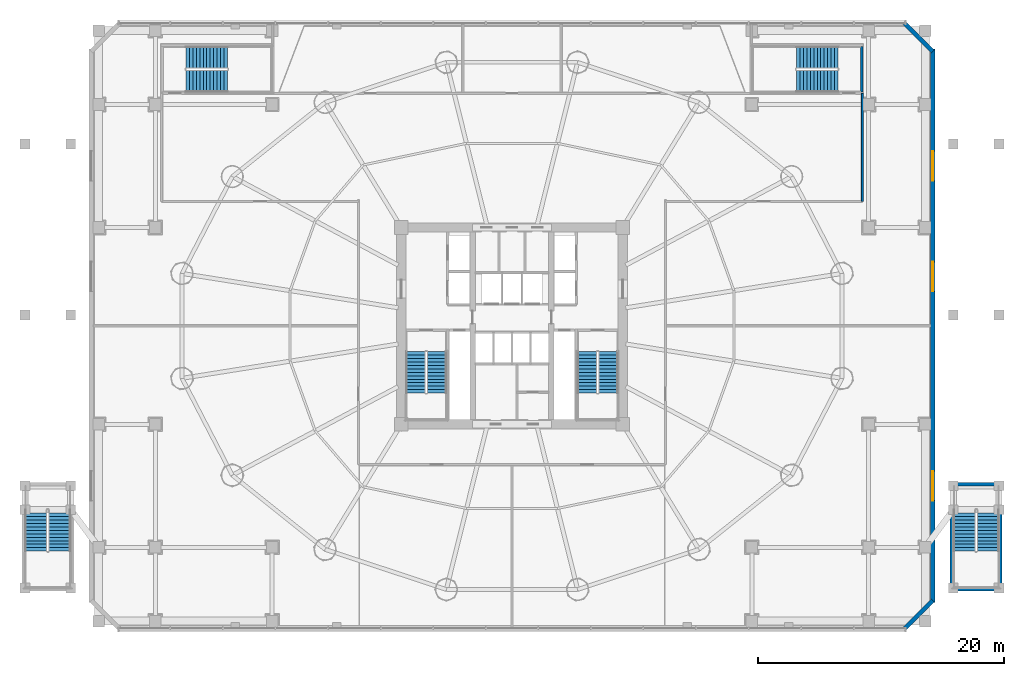
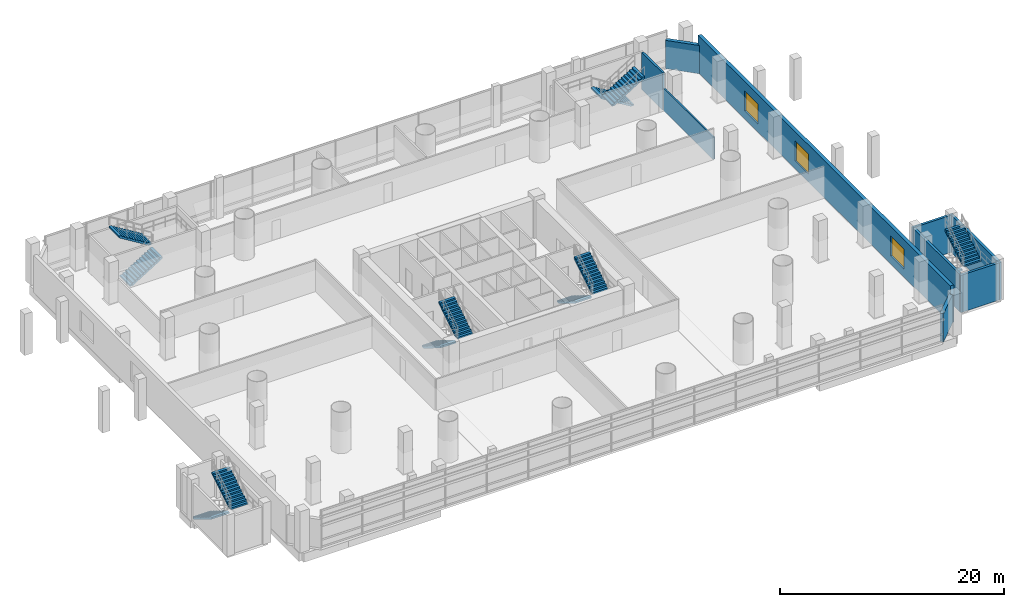
# One storey, part 24 of 36: 12 stair flights, 9 walls, 3 windows, 3 openings, 6 elements without a shape of their own.
"""IFC4 building model written with IfcOpenShell, lengths in metres."""

from ifc_helpers import new_model, si_unit, direction, frame, frame_2d, origin, place, context, subcontext, project, spatial, polyline, rectangle, outline, extrude, source, transform, mapped, material, layer, layer_set, type_object, element, fill, aggregate, save


model = new_model("IFC4")

# Units and contexts
model_context = context("Model", 3, precision=1e-05, world=origin(), true_north=direction((-0.2419218956, 0.970295726276)))
body_context = subcontext(model_context, "Body", "Model", "MODEL_VIEW")
ifc_project = project(units=[si_unit("LENGTHUNIT", "METRE"), si_unit("AREAUNIT", "SQUARE_METRE"), si_unit("VOLUMEUNIT", "CUBIC_METRE"), si_unit("PLANEANGLEUNIT", "RADIAN"), si_unit("MASSUNIT", "GRAM", prefix="KILO")], contexts=[model_context])

# Site, building, storey
site_placement = place(None, origin())
site = spatial("IfcSite", under=ifc_project, at=site_placement, CompositionType="ELEMENT")
building_placement = place(site_placement, origin())
building = spatial("IfcBuilding", under=site, at=building_placement, Name="Cobrevalo Terracotta Tower", CompositionType="ELEMENT")
storey_placement = place(building_placement, frame((0.0, 0.0, 14.39990234375)))
storey = spatial("IfcBuildingStorey", under=building, at=storey_placement, Name="L03", CompositionType="ELEMENT", Elevation=14.39990234375)

# Wall, openings, windows
ifc_material_1 = material(Name="Concrete C45", Category="concrete")
ifc_layer_1 = layer(ifc_material_1, 0.35009765625)
ifc_layer_set_1 = layer_set([ifc_layer_1], Name="Concrete C45")
wall_type_1 = type_object("IfcWallType", Name="Board-marked precast architectural concrete facade wall 350 mm", PredefinedType="SOLIDWALL", material=ifc_layer_set_1)
wall_1_placement = place(storey_placement, frame((72.199951171875, 4.300048828125, 0.0), z_axis=(0.0, 0.0, 1.0), x_axis=(0.0, 1.0, 0.0)))
wall_1 = element("IfcWall", 1, at=wall_1_placement, inside=storey, type_object=wall_type_1, Name="L03 east podium facade wall", PredefinedType="SOLIDWALL", context=body_context, shape_type="SweptSolid", body=[
    extrude(rectangle(XDim=45.0, YDim=0.35009765625, at=frame_2d((22.5, 0.0))), origin(), (0.0, 0.0, 1.0), 4.050048828125),
])
opening_1_placement = place(wall_1_placement, frame((8.300048828125, 0.0, 0.85009765625)))
opening_1 = element("IfcOpeningElement", 2, at=opening_1_placement, cuts=wall_1, Name="Opening WN-09", PredefinedType="OPENING", context=body_context, shape_type="SweptSolid", body=[
    extrude(rectangle(XDim=2.39990234375, YDim=2.199951171875, at=frame_2d((1.199951171875, 1.10009765625))), frame((0.0, 0.18505859375, 0.0), z_axis=(0.0, -1.0, 0.0), x_axis=(1.0, 0.0, 0.0)), (0.0, 0.0, 1.0), 0.3701171875),
])
opening_2_placement = place(wall_1_placement, frame((25.300048828125, 0.0, 0.85009765625)))
opening_2 = element("IfcOpeningElement", 3, at=opening_2_placement, cuts=wall_1, Name="Opening WN-09", PredefinedType="OPENING", context=body_context, shape_type="SweptSolid", body=[
    extrude(rectangle(XDim=2.39990234375, YDim=2.199951171875, at=frame_2d((1.199951171875, 1.10009765625))), frame((0.0, 0.18505859375, 0.0), z_axis=(0.0, -1.0, 0.0), x_axis=(1.0, 0.0, 0.0)), (0.0, 0.0, 1.0), 0.3701171875),
])
opening_3_placement = place(wall_1_placement, frame((34.300048828125, 0.0, 0.85009765625)))
opening_3 = element("IfcOpeningElement", 4, at=opening_3_placement, cuts=wall_1, Name="Opening WN-09", PredefinedType="OPENING", context=body_context, shape_type="SweptSolid", body=[
    extrude(rectangle(XDim=2.39990234375, YDim=2.199951171875, at=frame_2d((1.199951171875, 1.10009765625))), frame((0.0, 0.18505859375, 0.0), z_axis=(0.0, -1.0, 0.0), x_axis=(1.0, 0.0, 0.0)), (0.0, 0.0, 1.0), 0.3701171875),
])
ifc_material_2 = material(Name="Solar-control low-E double glazing", Category="glass")
window_type = type_object("IfcWindowType", Name="Podium upper gallery bronze-anodized window 2400x2200", PartitioningType="SINGLE_PANEL", PredefinedType="WINDOW", material=ifc_material_2)
shared_shape = source(origin(), body_context, "Body", "SweptSolid", [
    extrude(rectangle(XDim=2.39990234375, YDim=2.199951171875, at=frame_2d((1.199951171875, 1.10009765625))), frame((0.0, 0.030029296875, 0.0), z_axis=(0.0, -1.0, 0.0), x_axis=(1.0, 0.0, 0.0)), (0.0, 0.0, 1.0), 0.06005859375),
])
window_1_placement = place(opening_1_placement, origin())
window_1 = element("IfcWindow", 5, at=window_1_placement, inside=storey, type_object=window_type, Name="L03 east gallery window 1", OverallHeight=2.199951171875, OverallWidth=2.39990234375, PartitioningType="SINGLE_PANEL", PredefinedType="WINDOW", context=body_context, shape_type="MappedRepresentation", body=[
    mapped(shared_shape, transform((0.0, 0.0, 0.0), scale=1.0)),
])
fill(opening_1, window_1)
window_2_placement = place(opening_2_placement, origin())
window_2 = element("IfcWindow", 6, at=window_2_placement, inside=storey, type_object=window_type, Name="L03 east gallery window 2", OverallHeight=2.199951171875, OverallWidth=2.39990234375, PartitioningType="SINGLE_PANEL", PredefinedType="WINDOW", context=body_context, shape_type="MappedRepresentation", body=[
    mapped(shared_shape, transform((0.0, 0.0, 0.0), scale=1.0)),
])
fill(opening_2, window_2)
window_3_placement = place(opening_3_placement, origin())
window_3 = element("IfcWindow", 7, at=window_3_placement, inside=storey, type_object=window_type, Name="L03 east gallery window 3", OverallHeight=2.199951171875, OverallWidth=2.39990234375, PartitioningType="SINGLE_PANEL", PredefinedType="WINDOW", context=body_context, shape_type="MappedRepresentation", body=[
    mapped(shared_shape, transform((0.0, 0.0, 0.0), scale=1.0)),
])
fill(opening_3, window_3)

# Walls
for number, where, z_axis, x_axis, name in (
    (8, (69.919921875, 2.199951171875, 0.0), (0.0, 0.0, 1.0), (0.707106781187, 0.707106781187, 0.0), "L03 chamfered corner pier SE"),
    (9, (72.199951171875, 49.1201171875, 0.0), (0.0, 0.0, 1.0), (-0.707144639935, 0.707068920411, 0.0), "L03 chamfered corner pier NE"),
):
    element("IfcWall", number, at=place(storey_placement, frame(where, z_axis=z_axis, x_axis=x_axis)), inside=storey, type_object=wall_type_1, Name=name, PredefinedType="SOLIDWALL", context=body_context, shape_type="SweptSolid", body=[
        extrude(rectangle(XDim=3.224365234375, YDim=0.35009765625, at=frame_2d((1.6123046875, 0.0))), origin(), (0.0, 0.0, 1.0), 3.085205078125),
    ])
ifc_material_3 = material(Name="Concrete C50", Category="concrete")
ifc_layer_2 = layer(ifc_material_3, 0.25)
ifc_layer_set_2 = layer_set([ifc_layer_2], Name="Concrete C50")
wall_type_2 = type_object("IfcWallType", Name="Exterior raised-garden stair shaft RC wall 250 mm Concrete C50", PredefinedType="SOLIDWALL", material=ifc_layer_set_2)
for number, where, z_axis, x_axis, name in (
    (10, (73.7548828125, 5.25, 0.0), (0.0, 0.0, 1.0), (0.0, 1.0, 0.0), "L03 East monumental raised-garden stair structural shaft wall W"),
    (11, (77.72509765625, 5.25, 0.0), (0.0, 0.0, 1.0), (0.0, 1.0, 0.0), "L03 East monumental raised-garden stair structural shaft wall E"),
):
    element("IfcWall", number, at=place(storey_placement, frame(where, z_axis=z_axis, x_axis=x_axis)), inside=storey, type_object=wall_type_2, Name=name, PredefinedType="SOLIDWALL", context=body_context, shape_type="SweptSolid", body=[
        extrude(rectangle(XDim=8.675048828125, YDim=0.25, at=frame_2d((4.33740234375, 0.0))), origin(), (0.0, 0.0, 1.0), 4.050048828125),
    ])
for number, where, z_axis, x_axis, name in (
    (12, (73.6298828125, 5.375, 0.0), (0.0, 0.0, 1.0), (1.0, 0.0, 0.0), "L03 East monumental raised-garden stair structural shaft wall S"),
    (13, (73.6298828125, 13.925048828125, 0.0), (0.0, 0.0, 1.0), (1.0, 0.0, 0.0), "L03 East monumental raised-garden stair structural shaft wall N"),
):
    element("IfcWall", number, at=place(storey_placement, frame(where, z_axis=z_axis, x_axis=x_axis)), inside=storey, type_object=wall_type_2, Name=name, PredefinedType="SOLIDWALL", context=body_context, shape_type="SweptSolid", body=[
        extrude(rectangle(XDim=4.22021484375, YDim=0.25, at=frame_2d((2.110107421875, 0.0))), origin(), (0.0, 0.0, 1.0), 4.050048828125),
    ])
ifc_material_4 = material(Name="Gypsum board on steel stud", Category="steel")
ifc_layer_3 = layer(ifc_material_4, 0.159912109375)
ifc_layer_set_3 = layer_set([ifc_layer_3], Name="Gypsum board on steel stud")
wall_type_3 = type_object("IfcWallType", Name="Fire-rated corridor acoustic partition wall 160 mm", PredefinedType="PARTITIONING", material=ifc_layer_set_3)
wall_2_placement = place(storey_placement, frame((66.47998046875, 36.919921875, 0.0), z_axis=(0.0, 0.0, 1.0), x_axis=(0.0, 1.0, 0.0)))
element("IfcWall", 14, at=wall_2_placement, inside=storey, type_object=wall_type_3, Name="L03 interior partition IW-L03-PC-NE", PredefinedType="PARTITIONING", context=body_context, shape_type="SweptSolid", body=[
    extrude(rectangle(XDim=8.780029296875, YDim=0.159912109375, at=frame_2d((4.39013671875, 0.0))), origin(), (0.0, 0.0, 1.0), 2.43505859375),
])
ifc_layer_4 = layer(ifc_material_3, 0.199951171875)
ifc_layer_set_4 = layer_set([ifc_layer_4], Name="Concrete C50")
wall_type_4 = type_object("IfcWallType", Name="Structural core & podium stair-shaft RC wall 200 mm Concrete C50", PredefinedType="SOLIDWALL", material=ifc_layer_set_4)
wall_3_placement = place(storey_placement, frame((66.449951171875, 45.800048828125, 0.0), z_axis=(0.0, 0.0, 1.0), x_axis=(0.0, 1.0, 0.0)))
element("IfcWall", 15, at=wall_3_placement, inside=storey, type_object=wall_type_4, Name="L03 STP2 east structural shaft wall", PredefinedType="SOLIDWALL", context=body_context, shape_type="SweptSolid", body=[
    extrude(rectangle(XDim=3.719970703125, YDim=0.199951171875, at=frame_2d((1.85986328125, 0.0))), origin(), (0.0, 0.0, 1.0), 4.050048828125),
])

# Stair, stair flights
stair_type_1 = type_object("IfcStairType", Name="Core protected escape dogleg stair 1600", PredefinedType="HALF_TURN_STAIR", material=ifc_material_3)
stair_1_placement = place(storey_placement, origin())
stair_1 = element("IfcStair", 16, at=stair_1_placement, inside=storey, type_object=stair_type_1, Name="L03 Protected exit stair ST-1", PredefinedType="HALF_TURN_STAIR")
stair_flight_type_1 = type_object("IfcStairFlightType", Name="Core protected escape dogleg stair 1600 flight", PredefinedType="STRAIGHT", material=ifc_material_3)
stair_flight_1_placement = place(storey_placement, frame((30.175048828125, 24.699951171875, 0.0), z_axis=(0.0, 0.0, 1.0), x_axis=(0.0, -1.0, 0.0)))
stair_flight_1 = element("IfcStairFlight", 17, at=stair_flight_1_placement, type_object=stair_flight_type_1, Name="ST-1 flight 1", NumberOfRisers=13, NumberOfTreads=12, PredefinedType="STRAIGHT", RiserHeight=0.173076923, TreadLength=0.28, context=body_context, shape_type="SweptSolid", body=[
    extrude(outline(polyline([(0.0, 0.0), (0.0, 0.173095703125), (0.280029296875, 0.173095703125), (0.280029296875, 0.34619140625), (0.56005859375, 0.34619140625), (0.56005859375, 0.519287109375), (0.840087890625, 0.519287109375), (0.840087890625, 0.6923828125), (1.1201171875, 0.6923828125), (1.1201171875, 0.865478515625), (1.39990234375, 0.865478515625), (1.39990234375, 1.03857421875), (1.679931640625, 1.03857421875), (1.679931640625, 1.21142578125), (1.9599609375, 1.21142578125), (1.9599609375, 1.384521484375), (2.239990234375, 1.384521484375), (2.239990234375, 1.5576171875), (2.52001953125, 1.5576171875), (2.52001953125, 1.730712890625), (2.800048828125, 1.730712890625), (2.800048828125, 1.90380859375), (3.080078125, 1.90380859375), (3.080078125, 2.076904296875), (3.360107421875, 2.076904296875), (3.360107421875, 2.25), (3.360107421875, 1.888916015625), (0.30419921875, 0.0), (0.0, 0.0)])), frame((0.0, 0.800048828125, 0.0), z_axis=(0.0, -1.0, 0.0), x_axis=(1.0, 0.0, 0.0)), (0.0, 0.0, 1.0), 1.60009765625),
])
stair_flight_2_placement = place(storey_placement, frame((31.89501953125, 21.340087890625, 2.25), z_axis=(0.0, 0.0, 1.0), x_axis=(0.0, 1.0, 0.0)))
stair_flight_2 = element("IfcStairFlight", 18, at=stair_flight_2_placement, type_object=stair_flight_type_1, Name="ST-1 flight 2", NumberOfRisers=13, NumberOfTreads=12, PredefinedType="STRAIGHT", RiserHeight=0.173076923, TreadLength=0.28, context=body_context, shape_type="SweptSolid", body=[
    extrude(outline(polyline([(0.0, 0.0), (0.0, 0.173095703125), (0.280029296875, 0.173095703125), (0.280029296875, 0.34619140625), (0.56005859375, 0.34619140625), (0.56005859375, 0.519287109375), (0.840087890625, 0.519287109375), (0.840087890625, 0.6923828125), (1.1201171875, 0.6923828125), (1.1201171875, 0.865478515625), (1.39990234375, 0.865478515625), (1.39990234375, 1.03857421875), (1.679931640625, 1.03857421875), (1.679931640625, 1.21142578125), (1.9599609375, 1.21142578125), (1.9599609375, 1.384521484375), (2.239990234375, 1.384521484375), (2.239990234375, 1.5576171875), (2.52001953125, 1.5576171875), (2.52001953125, 1.730712890625), (2.800048828125, 1.730712890625), (2.800048828125, 1.90380859375), (3.080078125, 1.90380859375), (3.080078125, 2.076904296875), (3.360107421875, 2.076904296875), (3.360107421875, 2.25), (3.360107421875, 1.888916015625), (0.30419921875, 0.0), (0.0, 0.0)])), frame((0.0, 0.800048828125, 0.0), z_axis=(0.0, -1.0, 0.0), x_axis=(1.0, 0.0, 0.0)), (0.0, 0.0, 1.0), 1.60009765625),
])
aggregate(stair_1, [stair_flight_1, stair_flight_2])

stair_2_placement = place(storey_placement, origin())
stair_2 = element("IfcStair", 19, at=stair_2_placement, inside=storey, type_object=stair_type_1, Name="L03 Protected exit stair ST-2", PredefinedType="HALF_TURN_STAIR")
stair_flight_3_placement = place(storey_placement, frame((44.10498046875, 24.699951171875, 0.0), z_axis=(0.0, 0.0, 1.0), x_axis=(0.0, -1.0, 0.0)))
stair_flight_3 = element("IfcStairFlight", 20, at=stair_flight_3_placement, type_object=stair_flight_type_1, Name="ST-2 flight 1", NumberOfRisers=13, NumberOfTreads=12, PredefinedType="STRAIGHT", RiserHeight=0.173076923, TreadLength=0.28, context=body_context, shape_type="SweptSolid", body=[
    extrude(outline(polyline([(0.0, 0.0), (0.0, 0.173095703125), (0.280029296875, 0.173095703125), (0.280029296875, 0.34619140625), (0.56005859375, 0.34619140625), (0.56005859375, 0.519287109375), (0.840087890625, 0.519287109375), (0.840087890625, 0.6923828125), (1.1201171875, 0.6923828125), (1.1201171875, 0.865478515625), (1.39990234375, 0.865478515625), (1.39990234375, 1.03857421875), (1.679931640625, 1.03857421875), (1.679931640625, 1.21142578125), (1.9599609375, 1.21142578125), (1.9599609375, 1.384521484375), (2.239990234375, 1.384521484375), (2.239990234375, 1.5576171875), (2.52001953125, 1.5576171875), (2.52001953125, 1.730712890625), (2.800048828125, 1.730712890625), (2.800048828125, 1.90380859375), (3.080078125, 1.90380859375), (3.080078125, 2.076904296875), (3.360107421875, 2.076904296875), (3.360107421875, 2.25), (3.360107421875, 1.888916015625), (0.30419921875, 0.0), (0.0, 0.0)])), frame((0.0, 0.800048828125, 0.0), z_axis=(0.0, -1.0, 0.0), x_axis=(1.0, 0.0, 0.0)), (0.0, 0.0, 1.0), 1.60009765625),
])
stair_flight_4_placement = place(storey_placement, frame((45.824951171875, 21.340087890625, 2.25), z_axis=(0.0, 0.0, 1.0), x_axis=(0.0, 1.0, 0.0)))
stair_flight_4 = element("IfcStairFlight", 21, at=stair_flight_4_placement, type_object=stair_flight_type_1, Name="ST-2 flight 2", NumberOfRisers=13, NumberOfTreads=12, PredefinedType="STRAIGHT", RiserHeight=0.173076923, TreadLength=0.28, context=body_context, shape_type="SweptSolid", body=[
    extrude(outline(polyline([(0.0, 0.0), (0.0, 0.173095703125), (0.280029296875, 0.173095703125), (0.280029296875, 0.34619140625), (0.56005859375, 0.34619140625), (0.56005859375, 0.519287109375), (0.840087890625, 0.519287109375), (0.840087890625, 0.6923828125), (1.1201171875, 0.6923828125), (1.1201171875, 0.865478515625), (1.39990234375, 0.865478515625), (1.39990234375, 1.03857421875), (1.679931640625, 1.03857421875), (1.679931640625, 1.21142578125), (1.9599609375, 1.21142578125), (1.9599609375, 1.384521484375), (2.239990234375, 1.384521484375), (2.239990234375, 1.5576171875), (2.52001953125, 1.5576171875), (2.52001953125, 1.730712890625), (2.800048828125, 1.730712890625), (2.800048828125, 1.90380859375), (3.080078125, 1.90380859375), (3.080078125, 2.076904296875), (3.360107421875, 2.076904296875), (3.360107421875, 2.25), (3.360107421875, 1.888916015625), (0.30419921875, 0.0), (0.0, 0.0)])), frame((0.0, 0.800048828125, 0.0), z_axis=(0.0, -1.0, 0.0), x_axis=(1.0, 0.0, 0.0)), (0.0, 0.0, 1.0), 1.60009765625),
])
aggregate(stair_2, [stair_flight_3, stair_flight_4])

ifc_material_5 = material(Name="Precast concrete C45", Category="concrete")
stair_type_2 = type_object("IfcStairType", Name="Monumental raised-garden dogleg stair 1850", PredefinedType="HALF_TURN_STAIR", material=ifc_material_5)
stair_3_placement = place(storey_placement, origin())
stair_3 = element("IfcStair", 22, at=stair_3_placement, inside=storey, type_object=stair_type_2, Name="L03 West monumental raised-garden stair", PredefinedType="HALF_TURN_STAIR")
stair_flight_type_2 = type_object("IfcStairFlightType", Name="Monumental raised-garden dogleg stair 1850 flight", PredefinedType="STRAIGHT", material=ifc_material_5)
stair_flight_5_placement = place(storey_placement, frame((-0.699951171875, 11.85009765625, 0.0), z_axis=(0.0, 0.0, 1.0), x_axis=(0.0, -1.0, 0.0)))
stair_flight_5 = element("IfcStairFlight", 23, at=stair_flight_5_placement, type_object=stair_flight_type_2, Name="ST-EXT-W flight 1", NumberOfRisers=13, NumberOfTreads=12, PredefinedType="STRAIGHT", RiserHeight=0.173076923, TreadLength=0.28, context=body_context, shape_type="SweptSolid", body=[
    extrude(outline(polyline([(0.0, 0.0), (0.0, 0.173095703125), (0.280029296875, 0.173095703125), (0.280029296875, 0.34619140625), (0.56005859375, 0.34619140625), (0.56005859375, 0.519287109375), (0.840087890625, 0.519287109375), (0.840087890625, 0.6923828125), (1.1201171875, 0.6923828125), (1.1201171875, 0.865478515625), (1.39990234375, 0.865478515625), (1.39990234375, 1.03857421875), (1.679931640625, 1.03857421875), (1.679931640625, 1.21142578125), (1.9599609375, 1.21142578125), (1.9599609375, 1.384521484375), (2.239990234375, 1.384521484375), (2.239990234375, 1.5576171875), (2.52001953125, 1.5576171875), (2.52001953125, 1.730712890625), (2.800048828125, 1.730712890625), (2.800048828125, 1.90380859375), (3.080078125, 1.90380859375), (3.080078125, 2.076904296875), (3.360107421875, 2.076904296875), (3.360107421875, 2.25), (3.360107421875, 1.888916015625), (0.30419921875, 0.0), (0.0, 0.0)])), frame((0.0, 0.89990234375, 0.0), z_axis=(0.0, -1.0, 0.0), x_axis=(1.0, 0.0, 0.0)), (0.0, 0.0, 1.0), 1.800048828125),
])
stair_flight_6_placement = place(storey_placement, frame((1.219970703125, 8.489990234375, 2.25), z_axis=(0.0, 0.0, 1.0), x_axis=(0.0, 1.0, 0.0)))
stair_flight_6 = element("IfcStairFlight", 24, at=stair_flight_6_placement, type_object=stair_flight_type_2, Name="ST-EXT-W flight 2", NumberOfRisers=13, NumberOfTreads=12, PredefinedType="STRAIGHT", RiserHeight=0.173076923, TreadLength=0.28, context=body_context, shape_type="SweptSolid", body=[
    extrude(outline(polyline([(0.0, 0.0), (0.0, 0.173095703125), (0.280029296875, 0.173095703125), (0.280029296875, 0.34619140625), (0.56005859375, 0.34619140625), (0.56005859375, 0.519287109375), (0.840087890625, 0.519287109375), (0.840087890625, 0.6923828125), (1.1201171875, 0.6923828125), (1.1201171875, 0.865478515625), (1.39990234375, 0.865478515625), (1.39990234375, 1.03857421875), (1.679931640625, 1.03857421875), (1.679931640625, 1.21142578125), (1.9599609375, 1.21142578125), (1.9599609375, 1.384521484375), (2.239990234375, 1.384521484375), (2.239990234375, 1.5576171875), (2.52001953125, 1.5576171875), (2.52001953125, 1.730712890625), (2.800048828125, 1.730712890625), (2.800048828125, 1.90380859375), (3.080078125, 1.90380859375), (3.080078125, 2.076904296875), (3.360107421875, 2.076904296875), (3.360107421875, 2.25), (3.360107421875, 1.888916015625), (0.30419921875, 0.0), (0.0, 0.0)])), frame((0.0, 0.89990234375, 0.0), z_axis=(0.0, -1.0, 0.0), x_axis=(1.0, 0.0, 0.0)), (0.0, 0.0, 1.0), 1.800048828125),
])
aggregate(stair_3, [stair_flight_5, stair_flight_6])

stair_4_placement = place(storey_placement, origin())
stair_4 = element("IfcStair", 25, at=stair_4_placement, inside=storey, type_object=stair_type_2, Name="L03 East monumental raised-garden stair", PredefinedType="HALF_TURN_STAIR")
stair_flight_7_placement = place(storey_placement, frame((74.780029296875, 11.85009765625, 0.0), z_axis=(0.0, 0.0, 1.0), x_axis=(0.0, -1.0, 0.0)))
stair_flight_7 = element("IfcStairFlight", 26, at=stair_flight_7_placement, type_object=stair_flight_type_2, Name="ST-EXT-E flight 1", NumberOfRisers=13, NumberOfTreads=12, PredefinedType="STRAIGHT", RiserHeight=0.173076923, TreadLength=0.28, context=body_context, shape_type="SweptSolid", body=[
    extrude(outline(polyline([(0.0, 0.0), (0.0, 0.173095703125), (0.280029296875, 0.173095703125), (0.280029296875, 0.34619140625), (0.56005859375, 0.34619140625), (0.56005859375, 0.519287109375), (0.840087890625, 0.519287109375), (0.840087890625, 0.6923828125), (1.1201171875, 0.6923828125), (1.1201171875, 0.865478515625), (1.39990234375, 0.865478515625), (1.39990234375, 1.03857421875), (1.679931640625, 1.03857421875), (1.679931640625, 1.21142578125), (1.9599609375, 1.21142578125), (1.9599609375, 1.384521484375), (2.239990234375, 1.384521484375), (2.239990234375, 1.5576171875), (2.52001953125, 1.5576171875), (2.52001953125, 1.730712890625), (2.800048828125, 1.730712890625), (2.800048828125, 1.90380859375), (3.080078125, 1.90380859375), (3.080078125, 2.076904296875), (3.360107421875, 2.076904296875), (3.360107421875, 2.25), (3.360107421875, 1.888916015625), (0.30419921875, 0.0), (0.0, 0.0)])), frame((0.0, 0.89990234375, 0.0), z_axis=(0.0, -1.0, 0.0), x_axis=(1.0, 0.0, 0.0)), (0.0, 0.0, 1.0), 1.800048828125),
])
stair_flight_8_placement = place(storey_placement, frame((76.699951171875, 8.489990234375, 2.25), z_axis=(0.0, 0.0, 1.0), x_axis=(0.0, 1.0, 0.0)))
stair_flight_8 = element("IfcStairFlight", 27, at=stair_flight_8_placement, type_object=stair_flight_type_2, Name="ST-EXT-E flight 2", NumberOfRisers=13, NumberOfTreads=12, PredefinedType="STRAIGHT", RiserHeight=0.173076923, TreadLength=0.28, context=body_context, shape_type="SweptSolid", body=[
    extrude(outline(polyline([(0.0, 0.0), (0.0, 0.173095703125), (0.280029296875, 0.173095703125), (0.280029296875, 0.34619140625), (0.56005859375, 0.34619140625), (0.56005859375, 0.519287109375), (0.840087890625, 0.519287109375), (0.840087890625, 0.6923828125), (1.1201171875, 0.6923828125), (1.1201171875, 0.865478515625), (1.39990234375, 0.865478515625), (1.39990234375, 1.03857421875), (1.679931640625, 1.03857421875), (1.679931640625, 1.21142578125), (1.9599609375, 1.21142578125), (1.9599609375, 1.384521484375), (2.239990234375, 1.384521484375), (2.239990234375, 1.5576171875), (2.52001953125, 1.5576171875), (2.52001953125, 1.730712890625), (2.800048828125, 1.730712890625), (2.800048828125, 1.90380859375), (3.080078125, 1.90380859375), (3.080078125, 2.076904296875), (3.360107421875, 2.076904296875), (3.360107421875, 2.25), (3.360107421875, 1.888916015625), (0.30419921875, 0.0), (0.0, 0.0)])), frame((0.0, 0.89990234375, 0.0), z_axis=(0.0, -1.0, 0.0), x_axis=(1.0, 0.0, 0.0)), (0.0, 0.0, 1.0), 1.800048828125),
])
aggregate(stair_4, [stair_flight_7, stair_flight_8])

stair_type_3 = type_object("IfcStairType", Name="Podium concourse escape dogleg stair 1800", PredefinedType="HALF_TURN_STAIR", material=ifc_material_3)
stair_5_placement = place(storey_placement, origin())
stair_5 = element("IfcStair", 28, at=stair_5_placement, inside=storey, type_object=stair_type_3, Name="L03 Protected exit stair ST-P1", PredefinedType="HALF_TURN_STAIR")
stair_flight_type_3 = type_object("IfcStairFlightType", Name="Podium concourse escape dogleg stair 1800 flight", PredefinedType="STRAIGHT", material=ifc_material_3)
stair_flight_9_placement = place(storey_placement, frame((11.5, 46.699951171875, 0.0), z_axis=(0.0, 0.0, 1.0), x_axis=(1.0, 0.0, 0.0)))
stair_flight_9 = element("IfcStairFlight", 29, at=stair_flight_9_placement, type_object=stair_flight_type_3, Name="ST-P1 flight 1", NumberOfRisers=13, NumberOfTreads=12, PredefinedType="STRAIGHT", RiserHeight=0.173076923, TreadLength=0.28, context=body_context, shape_type="SweptSolid", body=[
    extrude(outline(polyline([(0.0, 0.0), (0.0, 0.173095703125), (0.280029296875, 0.173095703125), (0.280029296875, 0.34619140625), (0.56005859375, 0.34619140625), (0.56005859375, 0.519287109375), (0.840087890625, 0.519287109375), (0.840087890625, 0.6923828125), (1.1201171875, 0.6923828125), (1.1201171875, 0.865478515625), (1.39990234375, 0.865478515625), (1.39990234375, 1.03857421875), (1.679931640625, 1.03857421875), (1.679931640625, 1.21142578125), (1.9599609375, 1.21142578125), (1.9599609375, 1.384521484375), (2.239990234375, 1.384521484375), (2.239990234375, 1.5576171875), (2.52001953125, 1.5576171875), (2.52001953125, 1.730712890625), (2.800048828125, 1.730712890625), (2.800048828125, 1.90380859375), (3.080078125, 1.90380859375), (3.080078125, 2.076904296875), (3.360107421875, 2.076904296875), (3.360107421875, 2.25), (3.360107421875, 1.888916015625), (0.30419921875, 0.0), (0.0, 0.0)])), frame((0.0, 0.89990234375, 0.0), z_axis=(0.0, -1.0, 0.0), x_axis=(1.0, 0.0, 0.0)), (0.0, 0.0, 1.0), 1.800048828125),
])
stair_flight_10_placement = place(storey_placement, frame((14.860107421875, 48.6201171875, 2.25), z_axis=(0.0, 0.0, 1.0), x_axis=(-1.0, 0.0, 0.0)))
stair_flight_10 = element("IfcStairFlight", 30, at=stair_flight_10_placement, type_object=stair_flight_type_3, Name="ST-P1 flight 2", NumberOfRisers=13, NumberOfTreads=12, PredefinedType="STRAIGHT", RiserHeight=0.173076923, TreadLength=0.28, context=body_context, shape_type="SweptSolid", body=[
    extrude(outline(polyline([(0.0, 0.0), (0.0, 0.173095703125), (0.280029296875, 0.173095703125), (0.280029296875, 0.34619140625), (0.56005859375, 0.34619140625), (0.56005859375, 0.519287109375), (0.840087890625, 0.519287109375), (0.840087890625, 0.6923828125), (1.1201171875, 0.6923828125), (1.1201171875, 0.865478515625), (1.39990234375, 0.865478515625), (1.39990234375, 1.03857421875), (1.679931640625, 1.03857421875), (1.679931640625, 1.21142578125), (1.9599609375, 1.21142578125), (1.9599609375, 1.384521484375), (2.239990234375, 1.384521484375), (2.239990234375, 1.5576171875), (2.52001953125, 1.5576171875), (2.52001953125, 1.730712890625), (2.800048828125, 1.730712890625), (2.800048828125, 1.90380859375), (3.080078125, 1.90380859375), (3.080078125, 2.076904296875), (3.360107421875, 2.076904296875), (3.360107421875, 2.25), (3.360107421875, 1.888916015625), (0.30419921875, 0.0), (0.0, 0.0)])), frame((0.0, 0.89990234375, 0.0), z_axis=(0.0, -1.0, 0.0), x_axis=(1.0, 0.0, 0.0)), (0.0, 0.0, 1.0), 1.800048828125),
])
aggregate(stair_5, [stair_flight_9, stair_flight_10])

stair_6_placement = place(storey_placement, origin())
stair_6 = element("IfcStair", 31, at=stair_6_placement, inside=storey, type_object=stair_type_3, Name="L03 Protected exit stair ST-P2", PredefinedType="HALF_TURN_STAIR")
stair_flight_11_placement = place(storey_placement, frame((64.5, 48.6201171875, 0.0), z_axis=(0.0, 0.0, 1.0), x_axis=(-1.0, 0.0, 0.0)))
stair_flight_11 = element("IfcStairFlight", 32, at=stair_flight_11_placement, type_object=stair_flight_type_3, Name="ST-P2 flight 1", NumberOfRisers=13, NumberOfTreads=12, PredefinedType="STRAIGHT", RiserHeight=0.173076923, TreadLength=0.28, context=body_context, shape_type="SweptSolid", body=[
    extrude(outline(polyline([(0.0, 0.0), (0.0, 0.173095703125), (0.280029296875, 0.173095703125), (0.280029296875, 0.34619140625), (0.56005859375, 0.34619140625), (0.56005859375, 0.519287109375), (0.840087890625, 0.519287109375), (0.840087890625, 0.6923828125), (1.1201171875, 0.6923828125), (1.1201171875, 0.865478515625), (1.39990234375, 0.865478515625), (1.39990234375, 1.03857421875), (1.679931640625, 1.03857421875), (1.679931640625, 1.21142578125), (1.9599609375, 1.21142578125), (1.9599609375, 1.384521484375), (2.239990234375, 1.384521484375), (2.239990234375, 1.5576171875), (2.52001953125, 1.5576171875), (2.52001953125, 1.730712890625), (2.800048828125, 1.730712890625), (2.800048828125, 1.90380859375), (3.080078125, 1.90380859375), (3.080078125, 2.076904296875), (3.360107421875, 2.076904296875), (3.360107421875, 2.25), (3.360107421875, 1.888916015625), (0.30419921875, 0.0), (0.0, 0.0)])), frame((0.0, 0.89990234375, 0.0), z_axis=(0.0, -1.0, 0.0), x_axis=(1.0, 0.0, 0.0)), (0.0, 0.0, 1.0), 1.800048828125),
])
stair_flight_12_placement = place(storey_placement, frame((61.139892578125, 46.699951171875, 2.25), z_axis=(0.0, 0.0, 1.0), x_axis=(1.0, 0.0, 0.0)))
stair_flight_12 = element("IfcStairFlight", 33, at=stair_flight_12_placement, type_object=stair_flight_type_3, Name="ST-P2 flight 2", NumberOfRisers=13, NumberOfTreads=12, PredefinedType="STRAIGHT", RiserHeight=0.173076923, TreadLength=0.28, context=body_context, shape_type="SweptSolid", body=[
    extrude(outline(polyline([(0.0, 0.0), (0.0, 0.173095703125), (0.280029296875, 0.173095703125), (0.280029296875, 0.34619140625), (0.56005859375, 0.34619140625), (0.56005859375, 0.519287109375), (0.840087890625, 0.519287109375), (0.840087890625, 0.6923828125), (1.1201171875, 0.6923828125), (1.1201171875, 0.865478515625), (1.39990234375, 0.865478515625), (1.39990234375, 1.03857421875), (1.679931640625, 1.03857421875), (1.679931640625, 1.21142578125), (1.9599609375, 1.21142578125), (1.9599609375, 1.384521484375), (2.239990234375, 1.384521484375), (2.239990234375, 1.5576171875), (2.52001953125, 1.5576171875), (2.52001953125, 1.730712890625), (2.800048828125, 1.730712890625), (2.800048828125, 1.90380859375), (3.080078125, 1.90380859375), (3.080078125, 2.076904296875), (3.360107421875, 2.076904296875), (3.360107421875, 2.25), (3.360107421875, 1.888916015625), (0.30419921875, 0.0), (0.0, 0.0)])), frame((0.0, 0.89990234375, 0.0), z_axis=(0.0, -1.0, 0.0), x_axis=(1.0, 0.0, 0.0)), (0.0, 0.0, 1.0), 1.800048828125),
])
aggregate(stair_6, [stair_flight_11, stair_flight_12])

save(model, "model.ifc")
